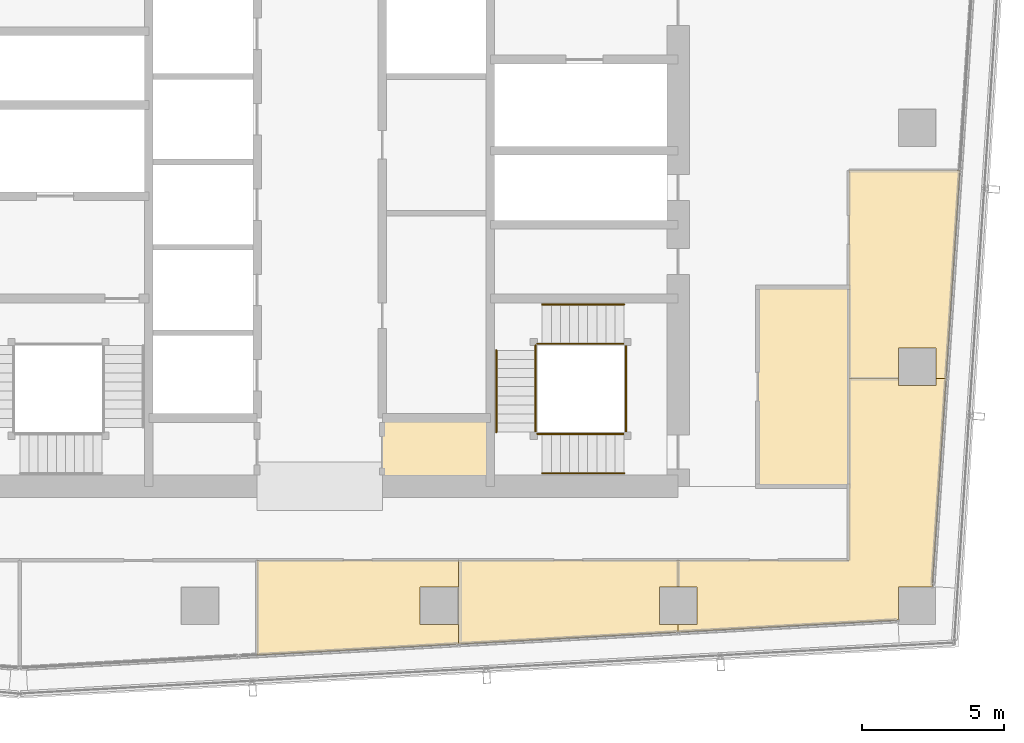
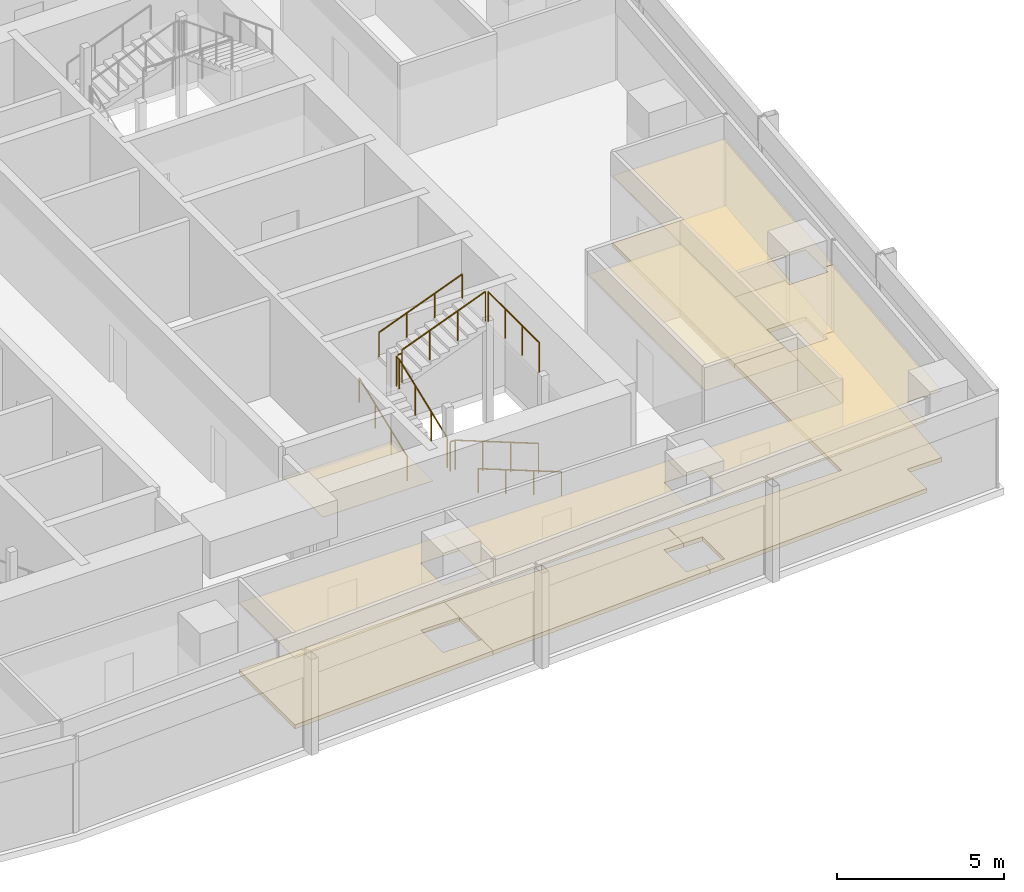
# One storey, part 26 of 28: 10 coverings, 10 railings.
"""IFC4 building model written with IfcOpenShell, lengths in metres."""

from ifc_helpers import new_model, si_unit, direction, frame, origin, origin_2d, place, context, subcontext, project, spatial, polyline, circle, outline, extrude, material, layer, layer_set, type_object, element, save


model = new_model("IFC4")

# Units and contexts
model_context = context("Model", 3, precision=1e-05, world=origin(), true_north=direction((0.0, 1.0)))
body_context = subcontext(model_context, "Body", "Model", "MODEL_VIEW")
ifc_project = project(units=[si_unit("LENGTHUNIT", "METRE"), si_unit("AREAUNIT", "SQUARE_METRE"), si_unit("VOLUMEUNIT", "CUBIC_METRE"), si_unit("PLANEANGLEUNIT", "RADIAN"), si_unit("MASSUNIT", "GRAM", prefix="KILO")], contexts=[model_context])

# Site, building, storey
site_placement = place(None, origin())
site = spatial("IfcSite", under=ifc_project, at=site_placement, CompositionType="ELEMENT")
building_placement = place(site_placement, origin())
building = spatial("IfcBuilding", under=site, at=building_placement, Name="Rekha Terrace Tower", CompositionType="ELEMENT")
storey_placement = place(building_placement, frame((0.0, 0.0, 268.85009765625)))
storey = spatial("IfcBuildingStorey", under=building, at=storey_placement, Name="L68", CompositionType="ELEMENT", Elevation=268.85009765625)

# Coverings
ifc_material_1 = material(Name="Mineral fibre tile in exposed grid", Category="finish")
ifc_layer_1 = layer(ifc_material_1, 0.02001953125)
ifc_layer_set_1 = layer_set([ifc_layer_1], Name="Mineral fibre tile in exposed grid")
covering_type_1 = type_object("IfcCoveringType", Name="CL1 600x1200 office grid ceiling", PredefinedType="CEILING", material=ifc_layer_set_1)
covering_1_placement = place(storey_placement, frame((0.0, 0.0, 2.579833984375)))
element("IfcCovering", 1, at=covering_1_placement, inside=storey, type_object=covering_type_1, Name="Ceiling L68-02", PredefinedType="CEILING", context=body_context, shape_type="SweptSolid", body=[
    extrude(outline(polyline([(35.59912109375, 18.39990234375), (35.59912109375, 15.069091796875), (42.673095703125, 15.4541015625), (42.673095703125, 16.135009765625), (41.3349609375, 16.135009765625), (41.3349609375, 17.465087890625), (42.673095703125, 17.465087890625), (42.673095703125, 18.39990234375), (35.59912109375, 18.39990234375)])), origin(), (0.0, 0.0, 1.0), 0.02001953125),
])
covering_2_placement = place(storey_placement, frame((0.0, 0.0, 2.579833984375)))
element("IfcCovering", 2, at=covering_2_placement, inside=storey, type_object=covering_type_1, Name="Ceiling L68-03", PredefinedType="CEILING", context=body_context, shape_type="SweptSolid", body=[
    extrude(outline(polyline([(42.674072265625, 18.39990234375), (42.674072265625, 15.4541015625), (50.39990234375, 15.875), (50.39990234375, 16.135009765625), (49.735107421875, 16.135009765625), (49.735107421875, 17.465087890625), (50.39990234375, 17.465087890625), (50.39990234375, 18.39990234375), (42.674072265625, 18.39990234375)])), origin(), (0.0, 0.0, 1.0), 0.02001953125),
])
covering_3_placement = place(storey_placement, frame((0.0, 0.0, 2.579833984375)))
element("IfcCovering", 3, at=covering_3_placement, inside=storey, type_object=covering_type_1, Name="Ceiling L68-04", PredefinedType="CEILING", context=body_context, shape_type="SweptSolid", body=[
    extrude(outline(polyline([(58.135009765625, 24.534912109375), (58.135009765625, 24.785888671875), (56.39990234375, 24.785888671875), (56.39990234375, 18.39990234375), (50.40087890625, 18.39990234375), (50.40087890625, 17.465087890625), (51.06494140625, 17.465087890625), (51.06494140625, 16.135009765625), (50.40087890625, 16.135009765625), (50.40087890625, 15.875), (58.135009765625, 16.2958984375), (58.135009765625, 17.465087890625), (59.327880859375, 17.465087890625), (59.81396484375, 24.785888671875), (59.465087890625, 24.785888671875), (59.465087890625, 24.534912109375), (58.135009765625, 24.534912109375)])), origin(), (0.0, 0.0, 1.0), 0.02001953125),
])
covering_4_placement = place(storey_placement, frame((0.0, 0.0, 2.579833984375)))
element("IfcCovering", 4, at=covering_4_placement, inside=storey, type_object=covering_type_1, Name="Ceiling L68-05", PredefinedType="CEILING", context=body_context, shape_type="SweptSolid", body=[
    extrude(outline(polyline([(59.465087890625, 24.787109375), (59.81494140625, 24.787109375), (60.300048828125, 32.095947265625), (56.39990234375, 32.095947265625), (56.39990234375, 24.787109375), (58.135009765625, 24.787109375), (58.135009765625, 25.864990234375), (59.465087890625, 25.864990234375), (59.465087890625, 24.787109375)])), origin(), (0.0, 0.0, 1.0), 0.02001953125),
])
ifc_material_2 = material(Name="Fibre cement board", Category="finish")
ifc_layer_2 = layer(ifc_material_2, 0.014892578125)
ifc_layer_set_2 = layer_set([ifc_layer_2], Name="Fibre cement board")
covering_type_2 = type_object("IfcCoveringType", Name="CL2 moisture-resistant board ceiling", PredefinedType="CEILING", material=ifc_layer_set_2)
covering_5_placement = place(storey_placement, frame((0.0, 0.0, 2.5849609375)))
element("IfcCovering", 5, at=covering_5_placement, inside=storey, type_object=covering_type_2, Name="Ceiling L68-WCA", PredefinedType="CEILING", context=body_context, shape_type="SweptSolid", body=[
    extrude(outline(polyline([(43.800048828125, 23.39990234375), (40.0, 23.39990234375), (40.0, 21.0), (43.800048828125, 21.0), (43.800048828125, 23.39990234375)])), origin(), (0.0, 0.0, 1.0), 0.014892578125),
])
covering_6_placement = place(storey_placement, frame((0.0, 0.0, 2.5849609375)))
element("IfcCovering", 6, at=covering_6_placement, inside=storey, type_object=covering_type_2, Name="Ceiling L68-WCM2", PredefinedType="CEILING", context=body_context, shape_type="SweptSolid", body=[
    extrude(outline(polyline([(56.39990234375, 28.0), (53.199951171875, 28.0), (53.199951171875, 21.0), (56.39990234375, 21.0), (56.39990234375, 28.0)])), origin(), (0.0, 0.0, 1.0), 0.014892578125),
])

# Railings
ifc_material_3 = material(Name="Stainless steel balustrade", Category="steel")
railing_type_1 = type_object("IfcRailingType", Name="GR1 1100 stair guard", PredefinedType="GUARDRAIL", material=ifc_material_3)
railing_1_placement = place(storey_placement, frame((48.5, 22.840087890625, 0.125)))
element("IfcRailing", 7, at=railing_1_placement, inside=storey, type_object=railing_type_1, Name="Guard ST3 L68 flight 1", PredefinedType="GUARDRAIL", context=body_context, shape_type="SweptSolid", body=[
    extrude(circle(Radius=0.02392578125, at=origin_2d()), frame((0.0, 0.0, 1.076171875), z_axis=(-0.931452331594, 0.0, 0.363863372667), x_axis=(0.0, -1.0, 0.0)), (0.0, 0.0, 1.0), 3.091796875),
    extrude(circle(Radius=0.02099609375, at=origin_2d()), origin(), (0.0, 0.0, 1.0), 1.052001953125),
    extrude(circle(Radius=0.02099609375, at=origin_2d()), frame((-0.9599609375, 0.0, 0.375)), (0.0, 0.0, 1.0), 1.052001953125),
    extrude(circle(Radius=0.02099609375, at=origin_2d()), frame((-1.919921875, 0.0, 0.75)), (0.0, 0.0, 1.0), 1.052001953125),
    extrude(circle(Radius=0.02099609375, at=origin_2d()), frame((-2.8798828125, 0.0, 1.125)), (0.0, 0.0, 1.0), 1.052001953125),
])
railing_2_placement = place(storey_placement, frame((45.389892578125, 22.89990234375, 1.375)))
element("IfcRailing", 8, at=railing_2_placement, inside=storey, type_object=railing_type_1, Name="Guard ST3 L68 flight 2", PredefinedType="GUARDRAIL", context=body_context, shape_type="SweptSolid", body=[
    extrude(circle(Radius=0.02392578125, at=origin_2d()), frame((0.0, 0.0, 1.076171875), z_axis=(0.0, 0.931462784923, 0.363836612098), x_axis=(-1.0, 0.0, 0.0)), (0.0, 0.0, 1.0), 3.092041015625),
    extrude(circle(Radius=0.02099609375, at=origin_2d()), origin(), (0.0, 0.0, 1.0), 1.052001953125),
    extrude(circle(Radius=0.02099609375, at=origin_2d()), frame((0.0, 0.9599609375, 0.375)), (0.0, 0.0, 1.0), 1.052001953125),
    extrude(circle(Radius=0.02099609375, at=origin_2d()), frame((0.0, 1.920166015625, 0.75)), (0.0, 0.0, 1.0), 1.052001953125),
    extrude(circle(Radius=0.02099609375, at=origin_2d()), frame((0.0, 2.880126953125, 1.125)), (0.0, 0.0, 1.0), 1.052001953125),
])
railing_3_placement = place(storey_placement, frame((45.6201171875, 26.010009765625, 2.625)))
element("IfcRailing", 9, at=railing_3_placement, inside=storey, type_object=railing_type_1, Name="Guard ST3 L68 flight 3", PredefinedType="GUARDRAIL", context=body_context, shape_type="SweptSolid", body=[
    extrude(circle(Radius=0.02392578125, at=origin_2d()), frame((0.0, 0.0, 1.076171875), z_axis=(0.931452331594, 0.0, 0.363863372667), x_axis=(0.0, 1.0, 0.0)), (0.0, 0.0, 1.0), 3.091796875),
    extrude(circle(Radius=0.02099609375, at=origin_2d()), origin(), (0.0, 0.0, 1.0), 1.052001953125),
    extrude(circle(Radius=0.02099609375, at=origin_2d()), frame((0.9599609375, 0.0, 0.375)), (0.0, 0.0, 1.0), 1.052001953125),
    extrude(circle(Radius=0.02099609375, at=origin_2d()), frame((1.919921875, 0.0, 0.75)), (0.0, 0.0, 1.0), 1.052001953125),
    extrude(circle(Radius=0.02099609375, at=origin_2d()), frame((2.8798828125, 0.0, 1.125)), (0.0, 0.0, 1.0), 1.052001953125),
])
railing_4_placement = place(storey_placement, frame((45.6201171875, 22.840087890625, 1.25)))
element("IfcRailing", 10, at=railing_4_placement, inside=storey, type_object=railing_type_1, Name="Guard ST3 L68 landing 1", PredefinedType="GUARDRAIL", context=body_context, shape_type="SweptSolid", body=[
    extrude(circle(Radius=0.02392578125, at=origin_2d()), frame((0.0, 0.0, 1.076171875), z_axis=(-1.0, 0.0, 0.0), x_axis=(0.0, -1.0, 0.0)), (0.0, 0.0, 1.0), 0.170166015625),
    extrude(circle(Radius=0.02099609375, at=origin_2d()), origin(), (0.0, 0.0, 1.0), 1.052001953125),
    extrude(circle(Radius=0.02099609375, at=origin_2d()), frame((-0.170166015625, 0.0, 0.0)), (0.0, 0.0, 1.0), 1.052001953125),
])
railing_5_placement = place(storey_placement, frame((45.389892578125, 25.780029296875, 2.5)))
element("IfcRailing", 11, at=railing_5_placement, inside=storey, type_object=railing_type_1, Name="Guard ST3 L68 landing 2", PredefinedType="GUARDRAIL", context=body_context, shape_type="SweptSolid", body=[
    extrude(circle(Radius=0.02392578125, at=origin_2d()), frame((0.0, 0.0, 1.076171875), z_axis=(0.0, 1.0, 0.0), x_axis=(-1.0, 0.0, 0.0)), (0.0, 0.0, 1.0), 0.169921875),
    extrude(circle(Radius=0.02099609375, at=origin_2d()), origin(), (0.0, 0.0, 1.0), 1.052001953125),
    extrude(circle(Radius=0.02099609375, at=origin_2d()), frame((0.0, 0.169921875, 0.0)), (0.0, 0.0, 1.0), 1.052001953125),
])
railing_6_placement = place(storey_placement, frame((45.6201171875, 26.010009765625, 2.5)))
element("IfcRailing", 12, at=railing_6_placement, inside=storey, type_object=railing_type_1, Name="Guard ST3 L68 landing 3", PredefinedType="GUARDRAIL", context=body_context, shape_type="SweptSolid", body=[
    extrude(circle(Radius=0.02392578125, at=origin_2d()), frame((0.0, 0.0, 1.076171875), z_axis=(-1.0, 0.0, 0.0), x_axis=(0.0, -1.0, 0.0)), (0.0, 0.0, 1.0), 0.170166015625),
    extrude(circle(Radius=0.02099609375, at=origin_2d()), origin(), (0.0, 0.0, 1.0), 1.052001953125),
    extrude(circle(Radius=0.02099609375, at=origin_2d()), frame((-0.170166015625, 0.0, 0.0)), (0.0, 0.0, 1.0), 1.052001953125),
])
railing_7_placement = place(storey_placement, frame((48.56005859375, 22.89990234375, 3.75)))
element("IfcRailing", 13, at=railing_7_placement, inside=storey, type_object=railing_type_1, Name="Guard ST3 L68 landing 4", PredefinedType="GUARDRAIL", context=body_context, shape_type="SweptSolid", body=[
    extrude(circle(Radius=0.02392578125, at=origin_2d()), frame((0.0, 0.0, 1.076171875), z_axis=(0.0, 1.0, 0.0), x_axis=(-1.0, 0.0, 0.0)), (0.0, 0.0, 1.0), 3.050048828125),
    extrude(circle(Radius=0.02099609375, at=origin_2d()), origin(), (0.0, 0.0, 1.0), 1.052001953125),
    extrude(circle(Radius=0.02099609375, at=origin_2d()), frame((0.0, 1.0166015625, 0.0)), (0.0, 0.0, 1.0), 1.052001953125),
    extrude(circle(Radius=0.02099609375, at=origin_2d()), frame((0.0, 2.033447265625, 0.0)), (0.0, 0.0, 1.0), 1.052001953125),
    extrude(circle(Radius=0.02099609375, at=origin_2d()), frame((0.0, 3.050048828125, 0.0)), (0.0, 0.0, 1.0), 1.052001953125),
])
ifc_material_4 = material(Name="Stainless steel tube", Category="steel")
railing_type_2 = type_object("IfcRailingType", Name="HR1 900 stair handrail", PredefinedType="HANDRAIL", material=ifc_material_4)
railing_8_placement = place(storey_placement, frame((48.5, 21.4599609375, 0.125)))
element("IfcRailing", 14, at=railing_8_placement, inside=storey, type_object=railing_type_2, Name="Handrail ST3 L68 flight 1", PredefinedType="HANDRAIL", context=body_context, shape_type="SweptSolid", body=[
    extrude(circle(Radius=0.02392578125, at=origin_2d()), frame((0.0, 0.0, 0.8759765625), z_axis=(-0.931452331594, 0.0, 0.363863372667), x_axis=(0.0, -1.0, 0.0)), (0.0, 0.0, 1.0), 3.091796875),
    extrude(circle(Radius=0.02099609375, at=origin_2d()), origin(), (0.0, 0.0, 1.0), 0.851806640625),
    extrude(circle(Radius=0.02099609375, at=origin_2d()), frame((-0.9599609375, 0.0, 0.375)), (0.0, 0.0, 1.0), 0.851806640625),
    extrude(circle(Radius=0.02099609375, at=origin_2d()), frame((-1.919921875, 0.0, 0.75)), (0.0, 0.0, 1.0), 0.851806640625),
    extrude(circle(Radius=0.02099609375, at=origin_2d()), frame((-2.8798828125, 0.0, 1.125)), (0.0, 0.0, 1.0), 0.851806640625),
])
railing_9_placement = place(storey_placement, frame((44.010009765625, 22.89990234375, 1.375)))
element("IfcRailing", 15, at=railing_9_placement, inside=storey, type_object=railing_type_2, Name="Handrail ST3 L68 flight 2", PredefinedType="HANDRAIL", context=body_context, shape_type="SweptSolid", body=[
    extrude(circle(Radius=0.02392578125, at=origin_2d()), frame((0.0, 0.0, 0.8759765625), z_axis=(0.0, 0.931462784923, 0.363836612098), x_axis=(-1.0, 0.0, 0.0)), (0.0, 0.0, 1.0), 3.092041015625),
    extrude(circle(Radius=0.02099609375, at=origin_2d()), origin(), (0.0, 0.0, 1.0), 0.851806640625),
    extrude(circle(Radius=0.02099609375, at=origin_2d()), frame((0.0, 0.9599609375, 0.375)), (0.0, 0.0, 1.0), 0.851806640625),
    extrude(circle(Radius=0.02099609375, at=origin_2d()), frame((0.0, 1.920166015625, 0.75)), (0.0, 0.0, 1.0), 0.851806640625),
    extrude(circle(Radius=0.02099609375, at=origin_2d()), frame((0.0, 2.880126953125, 1.125)), (0.0, 0.0, 1.0), 0.851806640625),
])
railing_10_placement = place(storey_placement, frame((45.6201171875, 27.389892578125, 2.625)))
element("IfcRailing", 16, at=railing_10_placement, inside=storey, type_object=railing_type_2, Name="Handrail ST3 L68 flight 3", PredefinedType="HANDRAIL", context=body_context, shape_type="SweptSolid", body=[
    extrude(circle(Radius=0.02392578125, at=origin_2d()), frame((0.0, 0.0, 0.8759765625), z_axis=(0.931452331594, 0.0, 0.363863372667), x_axis=(0.0, 1.0, 0.0)), (0.0, 0.0, 1.0), 3.091796875),
    extrude(circle(Radius=0.02099609375, at=origin_2d()), origin(), (0.0, 0.0, 1.0), 0.851806640625),
    extrude(circle(Radius=0.02099609375, at=origin_2d()), frame((0.9599609375, 0.0, 0.375)), (0.0, 0.0, 1.0), 0.851806640625),
    extrude(circle(Radius=0.02099609375, at=origin_2d()), frame((1.919921875, 0.0, 0.75)), (0.0, 0.0, 1.0), 0.851806640625),
    extrude(circle(Radius=0.02099609375, at=origin_2d()), frame((2.8798828125, 0.0, 1.125)), (0.0, 0.0, 1.0), 0.851806640625),
])

# Coverings
ifc_material_5 = material(Name="Calcium sulphate panels on steel pedestals", Category="steel")
ifc_layer_3 = layer(ifc_material_5, 0.14990234375)
ifc_layer_set_3 = layer_set([ifc_layer_3], Name="Calcium sulphate panels on steel pedestals")
covering_type_3 = type_object("IfcCoveringType", Name="RF1 150 raised access floor", PredefinedType="FLOORING", material=ifc_layer_set_3)
covering_7_placement = place(storey_placement, origin())
element("IfcCovering", 17, at=covering_7_placement, inside=storey, type_object=covering_type_3, Name="Raised floor L68-02", PredefinedType="FLOORING", context=body_context, shape_type="SweptSolid", body=[
    extrude(outline(polyline([(35.59912109375, 18.39990234375), (35.59912109375, 15.069091796875), (42.673095703125, 15.4541015625), (42.673095703125, 16.135009765625), (41.3349609375, 16.135009765625), (41.3349609375, 17.465087890625), (42.673095703125, 17.465087890625), (42.673095703125, 18.39990234375), (35.59912109375, 18.39990234375)])), origin(), (0.0, 0.0, 1.0), 0.14990234375),
])
covering_8_placement = place(storey_placement, origin())
element("IfcCovering", 18, at=covering_8_placement, inside=storey, type_object=covering_type_3, Name="Raised floor L68-03", PredefinedType="FLOORING", context=body_context, shape_type="SweptSolid", body=[
    extrude(outline(polyline([(42.674072265625, 18.39990234375), (42.674072265625, 15.4541015625), (50.39990234375, 15.875), (50.39990234375, 16.135009765625), (49.735107421875, 16.135009765625), (49.735107421875, 17.465087890625), (50.39990234375, 17.465087890625), (50.39990234375, 18.39990234375), (42.674072265625, 18.39990234375)])), origin(), (0.0, 0.0, 1.0), 0.14990234375),
])
covering_9_placement = place(storey_placement, origin())
element("IfcCovering", 19, at=covering_9_placement, inside=storey, type_object=covering_type_3, Name="Raised floor L68-04", PredefinedType="FLOORING", context=body_context, shape_type="SweptSolid", body=[
    extrude(outline(polyline([(58.135009765625, 24.534912109375), (58.135009765625, 24.785888671875), (56.39990234375, 24.785888671875), (56.39990234375, 18.39990234375), (50.40087890625, 18.39990234375), (50.40087890625, 17.465087890625), (51.06494140625, 17.465087890625), (51.06494140625, 16.135009765625), (50.40087890625, 16.135009765625), (50.40087890625, 15.875), (58.135009765625, 16.2958984375), (58.135009765625, 17.465087890625), (59.327880859375, 17.465087890625), (59.81396484375, 24.785888671875), (59.465087890625, 24.785888671875), (59.465087890625, 24.534912109375), (58.135009765625, 24.534912109375)])), origin(), (0.0, 0.0, 1.0), 0.14990234375),
])
covering_10_placement = place(storey_placement, origin())
element("IfcCovering", 20, at=covering_10_placement, inside=storey, type_object=covering_type_3, Name="Raised floor L68-05", PredefinedType="FLOORING", context=body_context, shape_type="SweptSolid", body=[
    extrude(outline(polyline([(59.465087890625, 24.787109375), (59.81494140625, 24.787109375), (60.300048828125, 32.095947265625), (56.39990234375, 32.095947265625), (56.39990234375, 24.787109375), (58.135009765625, 24.787109375), (58.135009765625, 25.864990234375), (59.465087890625, 25.864990234375), (59.465087890625, 24.787109375)])), origin(), (0.0, 0.0, 1.0), 0.14990234375),
])

save(model, "model.ifc")
